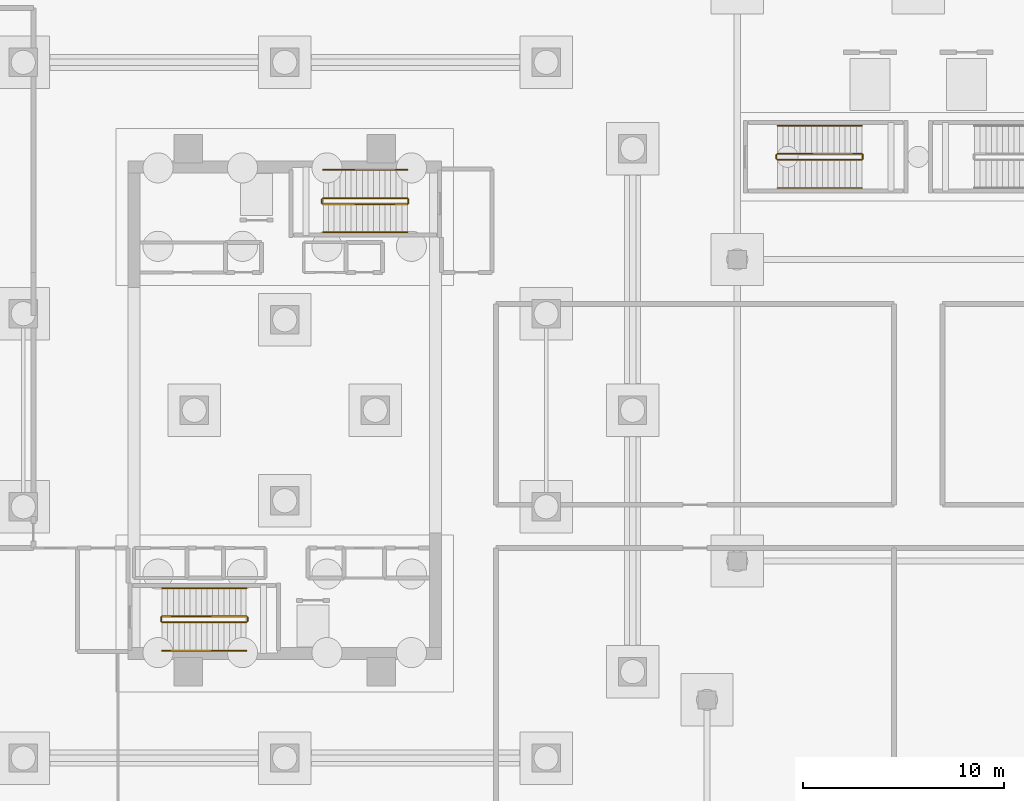
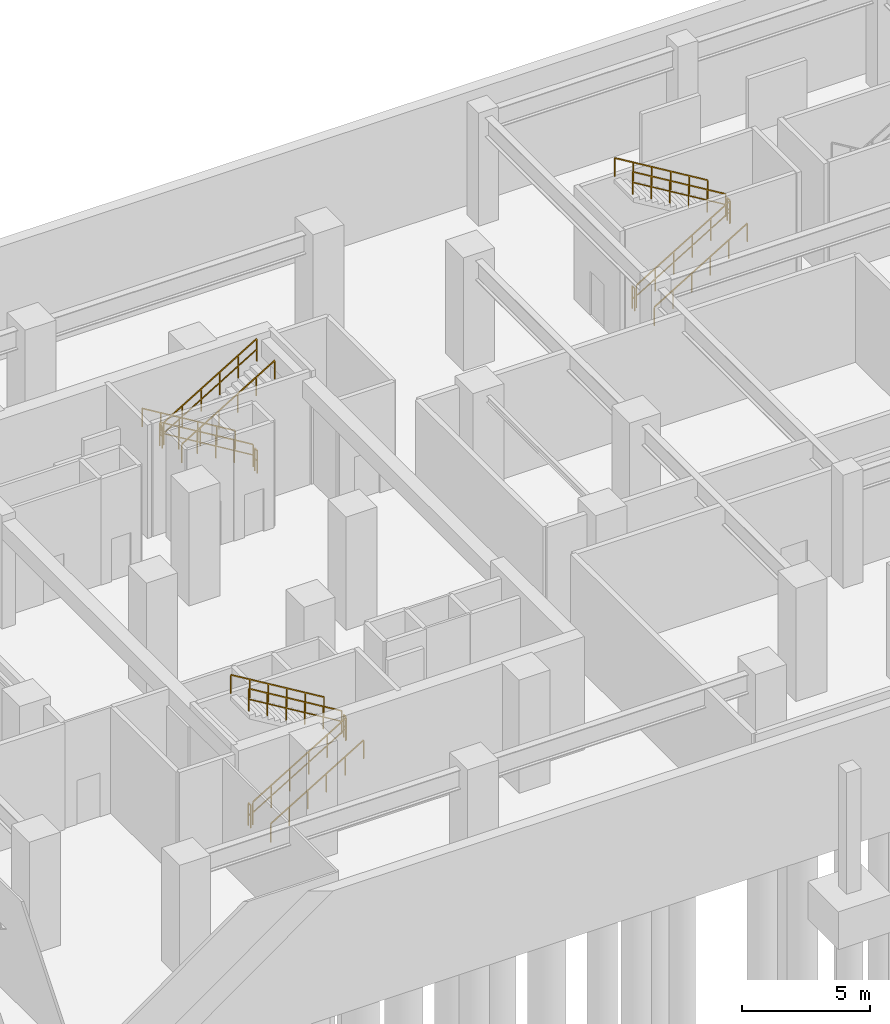
# One storey, part 12 of 14: 18 railings.
"""IFC4 building model written with IfcOpenShell, lengths in metres."""

import ifcopenshell
import ifcopenshell.guid

model = None  # the IFC model being written
_history = None  # IfcOwnerHistory: only IFC2X3 demands one
_inside = {}  # id of a spatial element -> (the spatial element, [elements in it])
_under = {}  # id of a project, library or spatial element -> (it, [spatial elements below it])
_declared = {}  # id of a project -> (the project, [libraries it declares])
_typed = {}  # id of a type object -> (the type object, [elements of that type])
_made_of = {}  # id of a material, layer set ... -> (it, [elements and type objects made of it])


def new_model(schema):
    """Start an empty IFC model of exactly this schema.

    Asked for "IFC4X3", IfcOpenShell would pick the latest addendum, in which some entities
    have other attributes; the version numbers below select the first issue.
    IFC2X3 requires an IfcOwnerHistory on every rooted entity: one is made here for all.
    """
    global model, _history
    if schema == "IFC4X3":
        model = ifcopenshell.file(schema_version=(4, 3, 0, 0))
    else:
        model = ifcopenshell.file(schema=schema)
    _inside.clear()
    _under.clear()
    _declared.clear()
    _typed.clear()
    _made_of.clear()
    _history = None
    if model.schema == "IFC2X3":
        org = make("IfcOrganization", Name="unknown")
        user = make(
            "IfcPersonAndOrganization",
            ThePerson=make("IfcPerson", FamilyName="unknown"),
            TheOrganization=org,
        )
        app = make(
            "IfcApplication",
            ApplicationDeveloper=org,
            Version="unknown",
            ApplicationFullName="unknown",
            ApplicationIdentifier="unknown",
        )
        _history = make(
            "IfcOwnerHistory",
            OwningUser=user,
            OwningApplication=app,
            ChangeAction="ADDED",
            CreationDate=0,
        )
    return model


def make(cls, **values):
    """One entity of the class cls with the attributes given. An attribute that is None is left unset."""
    return model.create_entity(
        cls, **{name: value for name, value in values.items() if value is not None}
    )


def rooted(cls, **values):
    """An entity with a GlobalId (a new one), such as an element, a storey or a relation."""
    return make(cls, GlobalId=ifcopenshell.guid.new(), OwnerHistory=_history, **values)


def si_unit(unit_type, name, prefix=None):
    """IfcSIUnit, for example si_unit("LENGTHUNIT", "METRE", prefix="MILLI")."""
    return make("IfcSIUnit", UnitType=unit_type, Prefix=prefix, Name=name)


def assignment(units):
    """IfcUnitAssignment: the units of a project."""
    return None if units is None else make("IfcUnitAssignment", Units=units)


def point(xyz):
    """IfcCartesianPoint."""
    return None if xyz is None else make("IfcCartesianPoint", Coordinates=xyz)


def direction(xyz):
    """IfcDirection."""
    return None if xyz is None else make("IfcDirection", DirectionRatios=xyz)


def frame(location, z_axis=None, x_axis=None):
    """IfcAxis2Placement3D, a coordinate frame: its origin and axes. An axis left out is left unset."""
    return make(
        "IfcAxis2Placement3D",
        Location=point(location),
        Axis=direction(z_axis),
        RefDirection=direction(x_axis),
    )


def frame_2d(location, x_axis=None):
    """IfcAxis2Placement2D, a coordinate frame in the plane: its origin and x axis."""
    return make(
        "IfcAxis2Placement2D", Location=point(location), RefDirection=direction(x_axis)
    )


def origin():
    """The frame at (0, 0, 0) with its axes left unset."""
    return frame((0.0, 0.0, 0.0))


def origin_2d():
    """The frame at (0, 0) in the plane with its x axis left unset."""
    return frame_2d((0.0, 0.0))


def place(relative_to, where):
    """IfcLocalPlacement: puts the frame where relative to a parent placement (None: the world)."""
    return make(
        "IfcLocalPlacement", PlacementRelTo=relative_to, RelativePlacement=where
    )


def context(
    kind, dimensions, precision=None, world=None, true_north=None, identifier=None
):
    """IfcGeometricRepresentationContext, for example the 3D "Model" context."""
    return make(
        "IfcGeometricRepresentationContext",
        ContextIdentifier=identifier,
        ContextType=kind,
        CoordinateSpaceDimension=dimensions,
        Precision=precision,
        WorldCoordinateSystem=world,
        TrueNorth=true_north,
    )


def subcontext(parent, identifier, kind, view, scale=None):
    """IfcGeometricRepresentationSubContext, for example "Body" below "Model"."""
    return make(
        "IfcGeometricRepresentationSubContext",
        ContextIdentifier=identifier,
        ContextType=kind,
        ParentContext=parent,
        TargetScale=scale,
        TargetView=view,
    )


def project(units=None, contexts=None):
    """IfcProject with its units and contexts."""
    return rooted(
        "IfcProject",
        Name="project",
        RepresentationContexts=contexts,
        UnitsInContext=assignment(units),
    )


def spatial(cls, under=None, at=None, **own):
    """A site, building, storey or space (cls), placed at a placement, below another one or the project."""
    s = rooted(cls, ObjectPlacement=at, **own)
    if under is not None:
        _under.setdefault(under.id(), (under, []))[1].append(s)
    return s


def profile(cls, at=None, kind="AREA", **sizes):
    """A parametric profile (cls). Its sizes go by their IFC names, for example OverallWidth=200.0."""
    return make(cls, ProfileType=kind, Position=at, **sizes)


def rectangle(**sizes):
    """IfcRectangleProfileDef."""
    return profile("IfcRectangleProfileDef", **sizes)


def extrude(swept, where, along, depth):
    """IfcExtrudedAreaSolid: the profile swept, set in the frame where, extruded along a direction by depth."""
    return make(
        "IfcExtrudedAreaSolid",
        SweptArea=swept,
        Position=where,
        ExtrudedDirection=direction(along),
        Depth=depth,
    )


def shape(context_of_items, identifier, shape_type, items):
    """IfcShapeRepresentation: the items that make up one representation, for example the "Body"."""
    return make(
        "IfcShapeRepresentation",
        ContextOfItems=context_of_items,
        RepresentationIdentifier=identifier,
        RepresentationType=shape_type,
        Items=items,
    )


def material(Name=None, Category=None):
    """IfcMaterial."""
    return make("IfcMaterial", Name=Name, Category=Category)


def made_of(thing, what):
    """Note that an element or type object is made of a material, layer set ...; save() writes the relation."""
    if what is not None:
        _made_of.setdefault(what.id(), (what, []))[1].append(thing)
    return thing


def type_object(cls, material=None, **own):
    """A type object (cls), such as IfcWallType, which elements share."""
    return made_of(rooted(cls, **own), material)


def element(
    cls,
    number,
    at=None,
    inside=None,
    cuts=None,
    type_object=None,
    material=None,
    context=None,
    identifier="Body",
    shape_type=None,
    held_by="IfcProductDefinitionShape",
    body=None,
    shapes=None,
    **own,
):
    """One element of the class cls, such as IfcWall. Its Tag is "e" and its number.

    at: its placement. inside: the storey or other place that contains it. cuts: it is an
    opening in that element (IfcRelVoidsElement). A single representation is given by context,
    identifier, shape_type and body (its items); several are given by shapes. held_by: the class
    of the entity that holds the representations. save() writes the other relations.
    """
    e = rooted(cls, Tag="e%d" % number, ObjectPlacement=at, **own)
    if body is not None:
        shapes = [shape(context, identifier, shape_type, body)]
    if shapes is not None:
        e.Representation = make(held_by, Representations=shapes)
    if inside is not None:
        _inside.setdefault(inside.id(), (inside, []))[1].append(e)
    if cuts is not None:
        rooted(
            "IfcRelVoidsElement", RelatingBuildingElement=cuts, RelatedOpeningElement=e
        )
    if type_object is not None:
        _typed.setdefault(type_object.id(), (type_object, []))[1].append(e)
    return made_of(e, material)


def aggregate(whole, parts):
    """IfcRelAggregates: a whole, such as a stair, and the parts it consists of."""
    return rooted("IfcRelAggregates", RelatingObject=whole, RelatedObjects=parts)


def save(model, path):
    """Write the relations noted so far, then the file.

    IfcRelAggregates (storeys below a building ...), IfcRelContainedInSpatialStructure (elements
    in a storey), IfcRelDefinesByType, IfcRelAssociatesMaterial and IfcRelDeclares: one each for
    every whole, place, type object, material and project.
    """
    for whole, parts in _under.values():
        aggregate(whole, parts)
    for where, things in _inside.values():
        rooted(
            "IfcRelContainedInSpatialStructure",
            RelatedElements=things,
            RelatingStructure=where,
        )
    for kind, things in _typed.values():
        rooted("IfcRelDefinesByType", RelatedObjects=things, RelatingType=kind)
    for what, things in _made_of.values():
        rooted("IfcRelAssociatesMaterial", RelatedObjects=things, RelatingMaterial=what)
    for by, libraries in _declared.values():
        rooted("IfcRelDeclares", RelatingContext=by, RelatedDefinitions=libraries)
    model.write(path)


model = new_model("IFC4")

# Units and contexts
model_context = context("Model", 3, precision=1e-05, world=origin(), true_north=direction((0.0, 1.0)))
body_context = subcontext(model_context, "Body", "Model", "MODEL_VIEW")
ifc_project = project(units=[si_unit("LENGTHUNIT", "METRE"), si_unit("AREAUNIT", "SQUARE_METRE"), si_unit("VOLUMEUNIT", "CUBIC_METRE"), si_unit("PLANEANGLEUNIT", "RADIAN"), si_unit("MASSUNIT", "GRAM", prefix="KILO")], contexts=[model_context])

# Site, building, storey
site_placement = place(None, origin())
site = spatial("IfcSite", under=ifc_project, at=site_placement, CompositionType="ELEMENT")
building_placement = place(site_placement, origin())
building = spatial("IfcBuilding", under=site, at=building_placement, Name="Thornwick Lancets Civic Towers", CompositionType="ELEMENT")
storey_placement = place(building_placement, frame((0.0, 0.0, -5.39990234375)))
storey = spatial("IfcBuildingStorey", under=building, at=storey_placement, Name="B01", CompositionType="ELEMENT", Elevation=-5.39990234375)

# Railings
ifc_material_1 = material(Name="Brushed stainless steel S355", Category="steel")
railing_type_1 = type_object("IfcRailingType", Name="RAIL_HANDRAIL", PredefinedType="HANDRAIL", material=ifc_material_1)
railing_1_placement = place(storey_placement, frame((19.39990234375, 15.050048828125, 0.168701171875)))
element("IfcRailing", 1, at=railing_1_placement, inside=storey, type_object=railing_type_1, Name="B01 ST-A1 stair handrail 1", PredefinedType="HANDRAIL", context=body_context, shape_type="SweptSolid", body=[
    extrude(rectangle(XDim=0.048095703125, YDim=0.048095703125, at=origin_2d()), frame((0.0, 0.0, 0.8857421875), z_axis=(0.856489757249, 0.0, 0.516164020179), x_axis=(0.0, 1.0, 0.0)), (0.0, 0.0, 1.0), 4.904052734375),
    extrude(rectangle(XDim=0.0419921875, YDim=0.0419921875, at=origin_2d()), origin(), (0.0, 0.0, 1.0), 0.855712890625),
    extrude(rectangle(XDim=0.0419921875, YDim=0.0419921875, at=origin_2d()), frame((0.840087890625, 0.0, 0.50634765625)), (0.0, 0.0, 1.0), 0.855712890625),
    extrude(rectangle(XDim=0.0419921875, YDim=0.0419921875, at=origin_2d()), frame((1.68017578125, 0.0, 1.012451171875)), (0.0, 0.0, 1.0), 0.855712890625),
    extrude(rectangle(XDim=0.0419921875, YDim=0.0419921875, at=origin_2d()), frame((2.52001953125, 0.0, 1.518798828125)), (0.0, 0.0, 1.0), 0.855712890625),
    extrude(rectangle(XDim=0.0419921875, YDim=0.0419921875, at=origin_2d()), frame((3.360107421875, 0.0, 2.02490234375)), (0.0, 0.0, 1.0), 0.855712890625),
    extrude(rectangle(XDim=0.0419921875, YDim=0.0419921875, at=origin_2d()), frame((4.2001953125, 0.0, 2.53125)), (0.0, 0.0, 1.0), 0.855712890625),
])
for number, where, name in (
    (2, (23.60009765625, 18.14990234375, 2.86865234375), "B01 ST-A1 stair handrail 2"),
    (3, (31.60009765625, 38.949951171875, 0.168701171875), "B01 ST-A2 stair handrail 1"),
):
    element("IfcRailing", number, at=place(storey_placement, frame(where)), inside=storey, type_object=railing_type_1, Name=name, PredefinedType="HANDRAIL", context=body_context, shape_type="SweptSolid", body=[
        extrude(rectangle(XDim=0.048095703125, YDim=0.048095703125, at=origin_2d()), frame((0.0, 0.0, 0.8857421875), z_axis=(-0.856489757249, 0.0, 0.516164020179), x_axis=(0.0, -1.0, 0.0)), (0.0, 0.0, 1.0), 4.904052734375),
        extrude(rectangle(XDim=0.0419921875, YDim=0.0419921875, at=origin_2d()), origin(), (0.0, 0.0, 1.0), 0.855712890625),
        extrude(rectangle(XDim=0.0419921875, YDim=0.0419921875, at=origin_2d()), frame((-0.840087890625, 0.0, 0.50634765625)), (0.0, 0.0, 1.0), 0.855712890625),
        extrude(rectangle(XDim=0.0419921875, YDim=0.0419921875, at=origin_2d()), frame((-1.68017578125, 0.0, 1.012451171875)), (0.0, 0.0, 1.0), 0.855712890625),
        extrude(rectangle(XDim=0.0419921875, YDim=0.0419921875, at=origin_2d()), frame((-2.52001953125, 0.0, 1.518798828125)), (0.0, 0.0, 1.0), 0.855712890625),
        extrude(rectangle(XDim=0.0419921875, YDim=0.0419921875, at=origin_2d()), frame((-3.360107421875, 0.0, 2.02490234375)), (0.0, 0.0, 1.0), 0.855712890625),
        extrude(rectangle(XDim=0.0419921875, YDim=0.0419921875, at=origin_2d()), frame((-4.2001953125, 0.0, 2.53125)), (0.0, 0.0, 1.0), 0.855712890625),
    ])
railing_2_placement = place(storey_placement, frame((27.39990234375, 35.85009765625, 2.86865234375)))
element("IfcRailing", 4, at=railing_2_placement, inside=storey, type_object=railing_type_1, Name="B01 ST-A2 stair handrail 2", PredefinedType="HANDRAIL", context=body_context, shape_type="SweptSolid", body=[
    extrude(rectangle(XDim=0.048095703125, YDim=0.048095703125, at=origin_2d()), frame((0.0, 0.0, 0.8857421875), z_axis=(0.856489757249, 0.0, 0.516164020179), x_axis=(0.0, 1.0, 0.0)), (0.0, 0.0, 1.0), 4.904052734375),
    extrude(rectangle(XDim=0.0419921875, YDim=0.0419921875, at=origin_2d()), origin(), (0.0, 0.0, 1.0), 0.855712890625),
    extrude(rectangle(XDim=0.0419921875, YDim=0.0419921875, at=origin_2d()), frame((0.840087890625, 0.0, 0.50634765625)), (0.0, 0.0, 1.0), 0.855712890625),
    extrude(rectangle(XDim=0.0419921875, YDim=0.0419921875, at=origin_2d()), frame((1.68017578125, 0.0, 1.012451171875)), (0.0, 0.0, 1.0), 0.855712890625),
    extrude(rectangle(XDim=0.0419921875, YDim=0.0419921875, at=origin_2d()), frame((2.52001953125, 0.0, 1.518798828125)), (0.0, 0.0, 1.0), 0.855712890625),
    extrude(rectangle(XDim=0.0419921875, YDim=0.0419921875, at=origin_2d()), frame((3.360107421875, 0.0, 2.02490234375)), (0.0, 0.0, 1.0), 0.855712890625),
    extrude(rectangle(XDim=0.0419921875, YDim=0.0419921875, at=origin_2d()), frame((4.2001953125, 0.0, 2.53125)), (0.0, 0.0, 1.0), 0.855712890625),
])
railing_3_placement = place(storey_placement, frame((50.0, 38.050048828125, 0.168701171875)))
element("IfcRailing", 5, at=railing_3_placement, inside=storey, type_object=railing_type_1, Name="B01 ST-P5 stair handrail 1", PredefinedType="HANDRAIL", context=body_context, shape_type="SweptSolid", body=[
    extrude(rectangle(XDim=0.048095703125, YDim=0.048095703125, at=origin_2d()), frame((0.0, 0.0, 0.8857421875), z_axis=(0.856476492594, 0.0, 0.516186030065), x_axis=(0.0, 1.0, 0.0)), (0.0, 0.0, 1.0), 4.90380859375),
    extrude(rectangle(XDim=0.0419921875, YDim=0.0419921875, at=origin_2d()), origin(), (0.0, 0.0, 1.0), 0.855712890625),
    extrude(rectangle(XDim=0.0419921875, YDim=0.0419921875, at=origin_2d()), frame((0.840087890625, 0.0, 0.50634765625)), (0.0, 0.0, 1.0), 0.855712890625),
    extrude(rectangle(XDim=0.0419921875, YDim=0.0419921875, at=origin_2d()), frame((1.679931640625, 0.0, 1.012451171875)), (0.0, 0.0, 1.0), 0.855712890625),
    extrude(rectangle(XDim=0.0419921875, YDim=0.0419921875, at=origin_2d()), frame((2.52001953125, 0.0, 1.518798828125)), (0.0, 0.0, 1.0), 0.855712890625),
    extrude(rectangle(XDim=0.0419921875, YDim=0.0419921875, at=origin_2d()), frame((3.35986328125, 0.0, 2.02490234375)), (0.0, 0.0, 1.0), 0.855712890625),
    extrude(rectangle(XDim=0.0419921875, YDim=0.0419921875, at=origin_2d()), frame((4.199951171875, 0.0, 2.53125)), (0.0, 0.0, 1.0), 0.855712890625),
])
railing_4_placement = place(storey_placement, frame((54.199951171875, 41.14990234375, 2.86865234375)))
element("IfcRailing", 6, at=railing_4_placement, inside=storey, type_object=railing_type_1, Name="B01 ST-P5 stair handrail 2", PredefinedType="HANDRAIL", context=body_context, shape_type="SweptSolid", body=[
    extrude(rectangle(XDim=0.048095703125, YDim=0.048095703125, at=origin_2d()), frame((0.0, 0.0, 0.8857421875), z_axis=(-0.856476492594, 0.0, 0.516186030065), x_axis=(0.0, -1.0, 0.0)), (0.0, 0.0, 1.0), 4.90380859375),
    extrude(rectangle(XDim=0.0419921875, YDim=0.0419921875, at=origin_2d()), origin(), (0.0, 0.0, 1.0), 0.855712890625),
    extrude(rectangle(XDim=0.0419921875, YDim=0.0419921875, at=origin_2d()), frame((-0.840087890625, 0.0, 0.50634765625)), (0.0, 0.0, 1.0), 0.855712890625),
    extrude(rectangle(XDim=0.0419921875, YDim=0.0419921875, at=origin_2d()), frame((-1.679931640625, 0.0, 1.012451171875)), (0.0, 0.0, 1.0), 0.855712890625),
    extrude(rectangle(XDim=0.0419921875, YDim=0.0419921875, at=origin_2d()), frame((-2.52001953125, 0.0, 1.518798828125)), (0.0, 0.0, 1.0), 0.855712890625),
    extrude(rectangle(XDim=0.0419921875, YDim=0.0419921875, at=origin_2d()), frame((-3.35986328125, 0.0, 2.02490234375)), (0.0, 0.0, 1.0), 0.855712890625),
    extrude(rectangle(XDim=0.0419921875, YDim=0.0419921875, at=origin_2d()), frame((-4.199951171875, 0.0, 2.53125)), (0.0, 0.0, 1.0), 0.855712890625),
])
ifc_material_2 = material(Name="Steel S355JR", Category="steel")
railing_type_2 = type_object("IfcRailingType", Name="RAIL_STAIR_GUARD", PredefinedType="GUARDRAIL", material=ifc_material_2)
railing_5_placement = place(storey_placement, frame((19.39990234375, 16.449951171875, 0.168701171875)))
element("IfcRailing", 7, at=railing_5_placement, inside=storey, type_object=railing_type_2, Name="B01 ST-A1 stair guard 1", PredefinedType="GUARDRAIL", context=body_context, shape_type="SweptSolid", body=[
    extrude(rectangle(XDim=0.048095703125, YDim=0.048095703125, at=origin_2d()), frame((0.0, 0.0, 1.076171875), z_axis=(0.856489757249, 0.0, 0.516164020179), x_axis=(0.0, 1.0, 0.0)), (0.0, 0.0, 1.0), 4.904052734375),
    extrude(rectangle(XDim=0.0419921875, YDim=0.0419921875, at=origin_2d()), frame((0.0322265625, 0.0, 0.59130859375), z_axis=(0.856489757249, 0.0, 0.516164020179), x_axis=(0.0, 1.0, 0.0)), (0.0, 0.0, 1.0), 0.90576171875),
    extrude(rectangle(XDim=0.0419921875, YDim=0.0419921875, at=origin_2d()), frame((0.8720703125, 0.0, 1.09765625), z_axis=(0.856489757249, 0.0, 0.516164020179), x_axis=(0.0, 1.0, 0.0)), (0.0, 0.0, 1.0), 0.90576171875),
    extrude(rectangle(XDim=0.0419921875, YDim=0.0419921875, at=origin_2d()), frame((1.712158203125, 0.0, 1.60400390625), z_axis=(0.856489757249, 0.0, 0.516164020179), x_axis=(0.0, 1.0, 0.0)), (0.0, 0.0, 1.0), 0.90576171875),
    extrude(rectangle(XDim=0.0419921875, YDim=0.0419921875, at=origin_2d()), frame((2.55224609375, 0.0, 2.110107421875), z_axis=(0.856489757249, 0.0, 0.516164020179), x_axis=(0.0, 1.0, 0.0)), (0.0, 0.0, 1.0), 0.90576171875),
    extrude(rectangle(XDim=0.0419921875, YDim=0.0419921875, at=origin_2d()), frame((3.392333984375, 0.0, 2.616455078125), z_axis=(0.856489757249, 0.0, 0.516164020179), x_axis=(0.0, 1.0, 0.0)), (0.0, 0.0, 1.0), 0.90576171875),
    extrude(rectangle(XDim=0.0419921875, YDim=0.0419921875, at=origin_2d()), origin(), (0.0, 0.0, 1.0), 1.0458984375),
    extrude(rectangle(XDim=0.0419921875, YDim=0.0419921875, at=origin_2d()), frame((0.840087890625, 0.0, 0.50634765625)), (0.0, 0.0, 1.0), 1.0458984375),
    extrude(rectangle(XDim=0.0419921875, YDim=0.0419921875, at=origin_2d()), frame((1.68017578125, 0.0, 1.012451171875)), (0.0, 0.0, 1.0), 1.0458984375),
    extrude(rectangle(XDim=0.0419921875, YDim=0.0419921875, at=origin_2d()), frame((2.52001953125, 0.0, 1.518798828125)), (0.0, 0.0, 1.0), 1.0458984375),
    extrude(rectangle(XDim=0.0419921875, YDim=0.0419921875, at=origin_2d()), frame((3.360107421875, 0.0, 2.02490234375)), (0.0, 0.0, 1.0), 1.0458984375),
    extrude(rectangle(XDim=0.0419921875, YDim=0.0419921875, at=origin_2d()), frame((4.2001953125, 0.0, 2.53125)), (0.0, 0.0, 1.0), 1.0458984375),
])
railing_6_placement = place(storey_placement, frame((23.64990234375, 16.5, 2.699951171875)))
element("IfcRailing", 8, at=railing_6_placement, inside=storey, type_object=railing_type_2, Name="B01 ST-A1 stair guard 2", PredefinedType="GUARDRAIL", context=body_context, shape_type="SweptSolid", body=[
    extrude(rectangle(XDim=0.048095703125, YDim=0.048095703125, at=origin_2d()), frame((0.0, 0.0, 1.076171875), z_axis=(0.0, 1.0, 0.0), x_axis=(-1.0, 0.0, 0.0)), (0.0, 0.0, 1.0), 0.199951171875),
    extrude(rectangle(XDim=0.0419921875, YDim=0.0419921875, at=origin_2d()), frame((0.0, 0.03759765625, 0.572021484375), z_axis=(0.0, 1.0, 0.0), x_axis=(-1.0, 0.0, 0.0)), (0.0, 0.0, 1.0), 0.125),
    extrude(rectangle(XDim=0.0419921875, YDim=0.0419921875, at=origin_2d()), origin(), (0.0, 0.0, 1.0), 1.0458984375),
    extrude(rectangle(XDim=0.0419921875, YDim=0.0419921875, at=origin_2d()), frame((0.0, 0.199951171875, 0.0)), (0.0, 0.0, 1.0), 1.0458984375),
])
railing_7_placement = place(storey_placement, frame((23.60009765625, 16.75, 2.86865234375)))
element("IfcRailing", 9, at=railing_7_placement, inside=storey, type_object=railing_type_2, Name="B01 ST-A1 stair guard 3", PredefinedType="GUARDRAIL", context=body_context, shape_type="SweptSolid", body=[
    extrude(rectangle(XDim=0.048095703125, YDim=0.048095703125, at=origin_2d()), frame((0.0, 0.0, 1.076171875), z_axis=(-0.856489757249, 0.0, 0.516164020179), x_axis=(0.0, -1.0, 0.0)), (0.0, 0.0, 1.0), 4.904052734375),
    extrude(rectangle(XDim=0.0419921875, YDim=0.0419921875, at=origin_2d()), frame((-0.0322265625, 0.0, 0.59130859375), z_axis=(-0.856489757249, 0.0, 0.516164020179), x_axis=(0.0, -1.0, 0.0)), (0.0, 0.0, 1.0), 0.90576171875),
    extrude(rectangle(XDim=0.0419921875, YDim=0.0419921875, at=origin_2d()), frame((-0.8720703125, 0.0, 1.09765625), z_axis=(-0.856489757249, 0.0, 0.516164020179), x_axis=(0.0, -1.0, 0.0)), (0.0, 0.0, 1.0), 0.90576171875),
    extrude(rectangle(XDim=0.0419921875, YDim=0.0419921875, at=origin_2d()), frame((-1.712158203125, 0.0, 1.60400390625), z_axis=(-0.856489757249, 0.0, 0.516164020179), x_axis=(0.0, -1.0, 0.0)), (0.0, 0.0, 1.0), 0.90576171875),
    extrude(rectangle(XDim=0.0419921875, YDim=0.0419921875, at=origin_2d()), frame((-2.55224609375, 0.0, 2.110107421875), z_axis=(-0.856489757249, 0.0, 0.516164020179), x_axis=(0.0, -1.0, 0.0)), (0.0, 0.0, 1.0), 0.90576171875),
    extrude(rectangle(XDim=0.0419921875, YDim=0.0419921875, at=origin_2d()), frame((-3.392333984375, 0.0, 2.616455078125), z_axis=(-0.856489757249, 0.0, 0.516164020179), x_axis=(0.0, -1.0, 0.0)), (0.0, 0.0, 1.0), 0.90576171875),
    extrude(rectangle(XDim=0.0419921875, YDim=0.0419921875, at=origin_2d()), origin(), (0.0, 0.0, 1.0), 1.0458984375),
    extrude(rectangle(XDim=0.0419921875, YDim=0.0419921875, at=origin_2d()), frame((-0.840087890625, 0.0, 0.50634765625)), (0.0, 0.0, 1.0), 1.0458984375),
    extrude(rectangle(XDim=0.0419921875, YDim=0.0419921875, at=origin_2d()), frame((-1.68017578125, 0.0, 1.012451171875)), (0.0, 0.0, 1.0), 1.0458984375),
    extrude(rectangle(XDim=0.0419921875, YDim=0.0419921875, at=origin_2d()), frame((-2.52001953125, 0.0, 1.518798828125)), (0.0, 0.0, 1.0), 1.0458984375),
    extrude(rectangle(XDim=0.0419921875, YDim=0.0419921875, at=origin_2d()), frame((-3.360107421875, 0.0, 2.02490234375)), (0.0, 0.0, 1.0), 1.0458984375),
    extrude(rectangle(XDim=0.0419921875, YDim=0.0419921875, at=origin_2d()), frame((-4.2001953125, 0.0, 2.53125)), (0.0, 0.0, 1.0), 1.0458984375),
])
railing_8_placement = place(storey_placement, frame((19.35009765625, 16.5, 0.0)))
element("IfcRailing", 10, at=railing_8_placement, inside=storey, type_object=railing_type_2, Name="B01 ST-A1 stair guard 4", PredefinedType="GUARDRAIL", context=body_context, shape_type="SweptSolid", body=[
    extrude(rectangle(XDim=0.048095703125, YDim=0.048095703125, at=origin_2d()), frame((0.0, 0.0, 1.076171875), z_axis=(0.0, 1.0, 0.0), x_axis=(-1.0, 0.0, 0.0)), (0.0, 0.0, 1.0), 0.199951171875),
    extrude(rectangle(XDim=0.0419921875, YDim=0.0419921875, at=origin_2d()), frame((0.0, 0.03759765625, 0.572021484375), z_axis=(0.0, 1.0, 0.0), x_axis=(-1.0, 0.0, 0.0)), (0.0, 0.0, 1.0), 0.125),
    extrude(rectangle(XDim=0.0419921875, YDim=0.0419921875, at=origin_2d()), origin(), (0.0, 0.0, 1.0), 1.0458984375),
    extrude(rectangle(XDim=0.0419921875, YDim=0.0419921875, at=origin_2d()), frame((0.0, 0.199951171875, 0.0)), (0.0, 0.0, 1.0), 1.0458984375),
])
railing_9_placement = place(storey_placement, frame((31.60009765625, 37.550048828125, 0.168701171875)))
element("IfcRailing", 11, at=railing_9_placement, inside=storey, type_object=railing_type_2, Name="B01 ST-A2 stair guard 1", PredefinedType="GUARDRAIL", context=body_context, shape_type="SweptSolid", body=[
    extrude(rectangle(XDim=0.048095703125, YDim=0.048095703125, at=origin_2d()), frame((0.0, 0.0, 1.076171875), z_axis=(-0.856489757249, 0.0, 0.516164020179), x_axis=(0.0, -1.0, 0.0)), (0.0, 0.0, 1.0), 4.904052734375),
    extrude(rectangle(XDim=0.0419921875, YDim=0.0419921875, at=origin_2d()), frame((-0.0322265625, 0.0, 0.59130859375), z_axis=(-0.856489757249, 0.0, 0.516164020179), x_axis=(0.0, -1.0, 0.0)), (0.0, 0.0, 1.0), 0.90576171875),
    extrude(rectangle(XDim=0.0419921875, YDim=0.0419921875, at=origin_2d()), frame((-0.8720703125, 0.0, 1.09765625), z_axis=(-0.856489757249, 0.0, 0.516164020179), x_axis=(0.0, -1.0, 0.0)), (0.0, 0.0, 1.0), 0.90576171875),
    extrude(rectangle(XDim=0.0419921875, YDim=0.0419921875, at=origin_2d()), frame((-1.712158203125, 0.0, 1.60400390625), z_axis=(-0.856489757249, 0.0, 0.516164020179), x_axis=(0.0, -1.0, 0.0)), (0.0, 0.0, 1.0), 0.90576171875),
    extrude(rectangle(XDim=0.0419921875, YDim=0.0419921875, at=origin_2d()), frame((-2.55224609375, 0.0, 2.110107421875), z_axis=(-0.856489757249, 0.0, 0.516164020179), x_axis=(0.0, -1.0, 0.0)), (0.0, 0.0, 1.0), 0.90576171875),
    extrude(rectangle(XDim=0.0419921875, YDim=0.0419921875, at=origin_2d()), frame((-3.392333984375, 0.0, 2.616455078125), z_axis=(-0.856489757249, 0.0, 0.516164020179), x_axis=(0.0, -1.0, 0.0)), (0.0, 0.0, 1.0), 0.90576171875),
    extrude(rectangle(XDim=0.0419921875, YDim=0.0419921875, at=origin_2d()), origin(), (0.0, 0.0, 1.0), 1.0458984375),
    extrude(rectangle(XDim=0.0419921875, YDim=0.0419921875, at=origin_2d()), frame((-0.840087890625, 0.0, 0.50634765625)), (0.0, 0.0, 1.0), 1.0458984375),
    extrude(rectangle(XDim=0.0419921875, YDim=0.0419921875, at=origin_2d()), frame((-1.68017578125, 0.0, 1.012451171875)), (0.0, 0.0, 1.0), 1.0458984375),
    extrude(rectangle(XDim=0.0419921875, YDim=0.0419921875, at=origin_2d()), frame((-2.52001953125, 0.0, 1.518798828125)), (0.0, 0.0, 1.0), 1.0458984375),
    extrude(rectangle(XDim=0.0419921875, YDim=0.0419921875, at=origin_2d()), frame((-3.360107421875, 0.0, 2.02490234375)), (0.0, 0.0, 1.0), 1.0458984375),
    extrude(rectangle(XDim=0.0419921875, YDim=0.0419921875, at=origin_2d()), frame((-4.2001953125, 0.0, 2.53125)), (0.0, 0.0, 1.0), 1.0458984375),
])
railing_10_placement = place(storey_placement, frame((27.35009765625, 37.5, 2.699951171875)))
element("IfcRailing", 12, at=railing_10_placement, inside=storey, type_object=railing_type_2, Name="B01 ST-A2 stair guard 2", PredefinedType="GUARDRAIL", context=body_context, shape_type="SweptSolid", body=[
    extrude(rectangle(XDim=0.048095703125, YDim=0.048095703125, at=origin_2d()), frame((0.0, 0.0, 1.076171875), z_axis=(0.0, -1.0, 0.0), x_axis=(1.0, 0.0, 0.0)), (0.0, 0.0, 1.0), 0.199951171875),
    extrude(rectangle(XDim=0.0419921875, YDim=0.0419921875, at=origin_2d()), frame((0.0, -0.03759765625, 0.572021484375), z_axis=(0.0, -1.0, 0.0), x_axis=(1.0, 0.0, 0.0)), (0.0, 0.0, 1.0), 0.125),
    extrude(rectangle(XDim=0.0419921875, YDim=0.0419921875, at=origin_2d()), origin(), (0.0, 0.0, 1.0), 1.0458984375),
    extrude(rectangle(XDim=0.0419921875, YDim=0.0419921875, at=origin_2d()), frame((0.0, -0.199951171875, 0.0)), (0.0, 0.0, 1.0), 1.0458984375),
])
railing_11_placement = place(storey_placement, frame((27.39990234375, 37.25, 2.86865234375)))
element("IfcRailing", 13, at=railing_11_placement, inside=storey, type_object=railing_type_2, Name="B01 ST-A2 stair guard 3", PredefinedType="GUARDRAIL", context=body_context, shape_type="SweptSolid", body=[
    extrude(rectangle(XDim=0.048095703125, YDim=0.048095703125, at=origin_2d()), frame((0.0, 0.0, 1.076171875), z_axis=(0.856489757249, 0.0, 0.516164020179), x_axis=(0.0, 1.0, 0.0)), (0.0, 0.0, 1.0), 4.904052734375),
    extrude(rectangle(XDim=0.0419921875, YDim=0.0419921875, at=origin_2d()), frame((0.0322265625, 0.0, 0.59130859375), z_axis=(0.856489757249, 0.0, 0.516164020179), x_axis=(0.0, 1.0, 0.0)), (0.0, 0.0, 1.0), 0.90576171875),
    extrude(rectangle(XDim=0.0419921875, YDim=0.0419921875, at=origin_2d()), frame((0.8720703125, 0.0, 1.09765625), z_axis=(0.856489757249, 0.0, 0.516164020179), x_axis=(0.0, 1.0, 0.0)), (0.0, 0.0, 1.0), 0.90576171875),
    extrude(rectangle(XDim=0.0419921875, YDim=0.0419921875, at=origin_2d()), frame((1.712158203125, 0.0, 1.60400390625), z_axis=(0.856489757249, 0.0, 0.516164020179), x_axis=(0.0, 1.0, 0.0)), (0.0, 0.0, 1.0), 0.90576171875),
    extrude(rectangle(XDim=0.0419921875, YDim=0.0419921875, at=origin_2d()), frame((2.55224609375, 0.0, 2.110107421875), z_axis=(0.856489757249, 0.0, 0.516164020179), x_axis=(0.0, 1.0, 0.0)), (0.0, 0.0, 1.0), 0.90576171875),
    extrude(rectangle(XDim=0.0419921875, YDim=0.0419921875, at=origin_2d()), frame((3.392333984375, 0.0, 2.616455078125), z_axis=(0.856489757249, 0.0, 0.516164020179), x_axis=(0.0, 1.0, 0.0)), (0.0, 0.0, 1.0), 0.90576171875),
    extrude(rectangle(XDim=0.0419921875, YDim=0.0419921875, at=origin_2d()), origin(), (0.0, 0.0, 1.0), 1.0458984375),
    extrude(rectangle(XDim=0.0419921875, YDim=0.0419921875, at=origin_2d()), frame((0.840087890625, 0.0, 0.50634765625)), (0.0, 0.0, 1.0), 1.0458984375),
    extrude(rectangle(XDim=0.0419921875, YDim=0.0419921875, at=origin_2d()), frame((1.68017578125, 0.0, 1.012451171875)), (0.0, 0.0, 1.0), 1.0458984375),
    extrude(rectangle(XDim=0.0419921875, YDim=0.0419921875, at=origin_2d()), frame((2.52001953125, 0.0, 1.518798828125)), (0.0, 0.0, 1.0), 1.0458984375),
    extrude(rectangle(XDim=0.0419921875, YDim=0.0419921875, at=origin_2d()), frame((3.360107421875, 0.0, 2.02490234375)), (0.0, 0.0, 1.0), 1.0458984375),
    extrude(rectangle(XDim=0.0419921875, YDim=0.0419921875, at=origin_2d()), frame((4.2001953125, 0.0, 2.53125)), (0.0, 0.0, 1.0), 1.0458984375),
])
railing_12_placement = place(storey_placement, frame((31.64990234375, 37.5, 0.0)))
element("IfcRailing", 14, at=railing_12_placement, inside=storey, type_object=railing_type_2, Name="B01 ST-A2 stair guard 4", PredefinedType="GUARDRAIL", context=body_context, shape_type="SweptSolid", body=[
    extrude(rectangle(XDim=0.048095703125, YDim=0.048095703125, at=origin_2d()), frame((0.0, 0.0, 1.076171875), z_axis=(0.0, -1.0, 0.0), x_axis=(1.0, 0.0, 0.0)), (0.0, 0.0, 1.0), 0.199951171875),
    extrude(rectangle(XDim=0.0419921875, YDim=0.0419921875, at=origin_2d()), frame((0.0, -0.03759765625, 0.572021484375), z_axis=(0.0, -1.0, 0.0), x_axis=(1.0, 0.0, 0.0)), (0.0, 0.0, 1.0), 0.125),
    extrude(rectangle(XDim=0.0419921875, YDim=0.0419921875, at=origin_2d()), origin(), (0.0, 0.0, 1.0), 1.0458984375),
    extrude(rectangle(XDim=0.0419921875, YDim=0.0419921875, at=origin_2d()), frame((0.0, -0.199951171875, 0.0)), (0.0, 0.0, 1.0), 1.0458984375),
])
railing_13_placement = place(storey_placement, frame((50.0, 39.449951171875, 0.168701171875)))
element("IfcRailing", 15, at=railing_13_placement, inside=storey, type_object=railing_type_2, Name="B01 ST-P5 stair guard 1", PredefinedType="GUARDRAIL", context=body_context, shape_type="SweptSolid", body=[
    extrude(rectangle(XDim=0.048095703125, YDim=0.048095703125, at=origin_2d()), frame((0.0, 0.0, 1.076171875), z_axis=(0.856476492594, 0.0, 0.516186030065), x_axis=(0.0, 1.0, 0.0)), (0.0, 0.0, 1.0), 4.90380859375),
    extrude(rectangle(XDim=0.0419921875, YDim=0.0419921875, at=origin_2d()), frame((0.0322265625, 0.0, 0.59130859375), z_axis=(0.856476492594, 0.0, 0.516186030065), x_axis=(0.0, 1.0, 0.0)), (0.0, 0.0, 1.0), 0.90576171875),
    extrude(rectangle(XDim=0.0419921875, YDim=0.0419921875, at=origin_2d()), frame((0.8720703125, 0.0, 1.09765625), z_axis=(0.856476492594, 0.0, 0.516186030065), x_axis=(0.0, 1.0, 0.0)), (0.0, 0.0, 1.0), 0.90576171875),
    extrude(rectangle(XDim=0.0419921875, YDim=0.0419921875, at=origin_2d()), frame((1.712158203125, 0.0, 1.60400390625), z_axis=(0.856476492594, 0.0, 0.516186030065), x_axis=(0.0, 1.0, 0.0)), (0.0, 0.0, 1.0), 0.90576171875),
    extrude(rectangle(XDim=0.0419921875, YDim=0.0419921875, at=origin_2d()), frame((2.552001953125, 0.0, 2.110107421875), z_axis=(0.856476492594, 0.0, 0.516186030065), x_axis=(0.0, 1.0, 0.0)), (0.0, 0.0, 1.0), 0.90576171875),
    extrude(rectangle(XDim=0.0419921875, YDim=0.0419921875, at=origin_2d()), frame((3.39208984375, 0.0, 2.616455078125), z_axis=(0.856476492594, 0.0, 0.516186030065), x_axis=(0.0, 1.0, 0.0)), (0.0, 0.0, 1.0), 0.90576171875),
    extrude(rectangle(XDim=0.0419921875, YDim=0.0419921875, at=origin_2d()), origin(), (0.0, 0.0, 1.0), 1.0458984375),
    extrude(rectangle(XDim=0.0419921875, YDim=0.0419921875, at=origin_2d()), frame((0.840087890625, 0.0, 0.50634765625)), (0.0, 0.0, 1.0), 1.0458984375),
    extrude(rectangle(XDim=0.0419921875, YDim=0.0419921875, at=origin_2d()), frame((1.679931640625, 0.0, 1.012451171875)), (0.0, 0.0, 1.0), 1.0458984375),
    extrude(rectangle(XDim=0.0419921875, YDim=0.0419921875, at=origin_2d()), frame((2.52001953125, 0.0, 1.518798828125)), (0.0, 0.0, 1.0), 1.0458984375),
    extrude(rectangle(XDim=0.0419921875, YDim=0.0419921875, at=origin_2d()), frame((3.35986328125, 0.0, 2.02490234375)), (0.0, 0.0, 1.0), 1.0458984375),
    extrude(rectangle(XDim=0.0419921875, YDim=0.0419921875, at=origin_2d()), frame((4.199951171875, 0.0, 2.53125)), (0.0, 0.0, 1.0), 1.0458984375),
])
railing_14_placement = place(storey_placement, frame((54.25, 39.5, 2.699951171875)))
element("IfcRailing", 16, at=railing_14_placement, inside=storey, type_object=railing_type_2, Name="B01 ST-P5 stair guard 2", PredefinedType="GUARDRAIL", context=body_context, shape_type="SweptSolid", body=[
    extrude(rectangle(XDim=0.048095703125, YDim=0.048095703125, at=origin_2d()), frame((0.0, 0.0, 1.076171875), z_axis=(0.0, 1.0, 0.0), x_axis=(-1.0, 0.0, 0.0)), (0.0, 0.0, 1.0), 0.199951171875),
    extrude(rectangle(XDim=0.0419921875, YDim=0.0419921875, at=origin_2d()), frame((0.0, 0.03759765625, 0.572021484375), z_axis=(0.0, 1.0, 0.0), x_axis=(-1.0, 0.0, 0.0)), (0.0, 0.0, 1.0), 0.125),
    extrude(rectangle(XDim=0.0419921875, YDim=0.0419921875, at=origin_2d()), origin(), (0.0, 0.0, 1.0), 1.0458984375),
    extrude(rectangle(XDim=0.0419921875, YDim=0.0419921875, at=origin_2d()), frame((0.0, 0.199951171875, 0.0)), (0.0, 0.0, 1.0), 1.0458984375),
])
railing_15_placement = place(storey_placement, frame((54.199951171875, 39.75, 2.86865234375)))
element("IfcRailing", 17, at=railing_15_placement, inside=storey, type_object=railing_type_2, Name="B01 ST-P5 stair guard 3", PredefinedType="GUARDRAIL", context=body_context, shape_type="SweptSolid", body=[
    extrude(rectangle(XDim=0.048095703125, YDim=0.048095703125, at=origin_2d()), frame((0.0, 0.0, 1.076171875), z_axis=(-0.856476492594, 0.0, 0.516186030065), x_axis=(0.0, -1.0, 0.0)), (0.0, 0.0, 1.0), 4.90380859375),
    extrude(rectangle(XDim=0.0419921875, YDim=0.0419921875, at=origin_2d()), frame((-0.0322265625, 0.0, 0.59130859375), z_axis=(-0.856476492594, 0.0, 0.516186030065), x_axis=(0.0, -1.0, 0.0)), (0.0, 0.0, 1.0), 0.90576171875),
    extrude(rectangle(XDim=0.0419921875, YDim=0.0419921875, at=origin_2d()), frame((-0.8720703125, 0.0, 1.09765625), z_axis=(-0.856476492594, 0.0, 0.516186030065), x_axis=(0.0, -1.0, 0.0)), (0.0, 0.0, 1.0), 0.90576171875),
    extrude(rectangle(XDim=0.0419921875, YDim=0.0419921875, at=origin_2d()), frame((-1.712158203125, 0.0, 1.60400390625), z_axis=(-0.856476492594, 0.0, 0.516186030065), x_axis=(0.0, -1.0, 0.0)), (0.0, 0.0, 1.0), 0.90576171875),
    extrude(rectangle(XDim=0.0419921875, YDim=0.0419921875, at=origin_2d()), frame((-2.552001953125, 0.0, 2.110107421875), z_axis=(-0.856476492594, 0.0, 0.516186030065), x_axis=(0.0, -1.0, 0.0)), (0.0, 0.0, 1.0), 0.90576171875),
    extrude(rectangle(XDim=0.0419921875, YDim=0.0419921875, at=origin_2d()), frame((-3.39208984375, 0.0, 2.616455078125), z_axis=(-0.856476492594, 0.0, 0.516186030065), x_axis=(0.0, -1.0, 0.0)), (0.0, 0.0, 1.0), 0.90576171875),
    extrude(rectangle(XDim=0.0419921875, YDim=0.0419921875, at=origin_2d()), origin(), (0.0, 0.0, 1.0), 1.0458984375),
    extrude(rectangle(XDim=0.0419921875, YDim=0.0419921875, at=origin_2d()), frame((-0.840087890625, 0.0, 0.50634765625)), (0.0, 0.0, 1.0), 1.0458984375),
    extrude(rectangle(XDim=0.0419921875, YDim=0.0419921875, at=origin_2d()), frame((-1.679931640625, 0.0, 1.012451171875)), (0.0, 0.0, 1.0), 1.0458984375),
    extrude(rectangle(XDim=0.0419921875, YDim=0.0419921875, at=origin_2d()), frame((-2.52001953125, 0.0, 1.518798828125)), (0.0, 0.0, 1.0), 1.0458984375),
    extrude(rectangle(XDim=0.0419921875, YDim=0.0419921875, at=origin_2d()), frame((-3.35986328125, 0.0, 2.02490234375)), (0.0, 0.0, 1.0), 1.0458984375),
    extrude(rectangle(XDim=0.0419921875, YDim=0.0419921875, at=origin_2d()), frame((-4.199951171875, 0.0, 2.53125)), (0.0, 0.0, 1.0), 1.0458984375),
])
railing_16_placement = place(storey_placement, frame((49.949951171875, 39.5, 0.0)))
element("IfcRailing", 18, at=railing_16_placement, inside=storey, type_object=railing_type_2, Name="B01 ST-P5 stair guard 4", PredefinedType="GUARDRAIL", context=body_context, shape_type="SweptSolid", body=[
    extrude(rectangle(XDim=0.048095703125, YDim=0.048095703125, at=origin_2d()), frame((0.0, 0.0, 1.076171875), z_axis=(0.0, 1.0, 0.0), x_axis=(-1.0, 0.0, 0.0)), (0.0, 0.0, 1.0), 0.199951171875),
    extrude(rectangle(XDim=0.0419921875, YDim=0.0419921875, at=origin_2d()), frame((0.0, 0.03759765625, 0.572021484375), z_axis=(0.0, 1.0, 0.0), x_axis=(-1.0, 0.0, 0.0)), (0.0, 0.0, 1.0), 0.125),
    extrude(rectangle(XDim=0.0419921875, YDim=0.0419921875, at=origin_2d()), origin(), (0.0, 0.0, 1.0), 1.0458984375),
    extrude(rectangle(XDim=0.0419921875, YDim=0.0419921875, at=origin_2d()), frame((0.0, 0.199951171875, 0.0)), (0.0, 0.0, 1.0), 1.0458984375),
])

save(model, "model.ifc")
